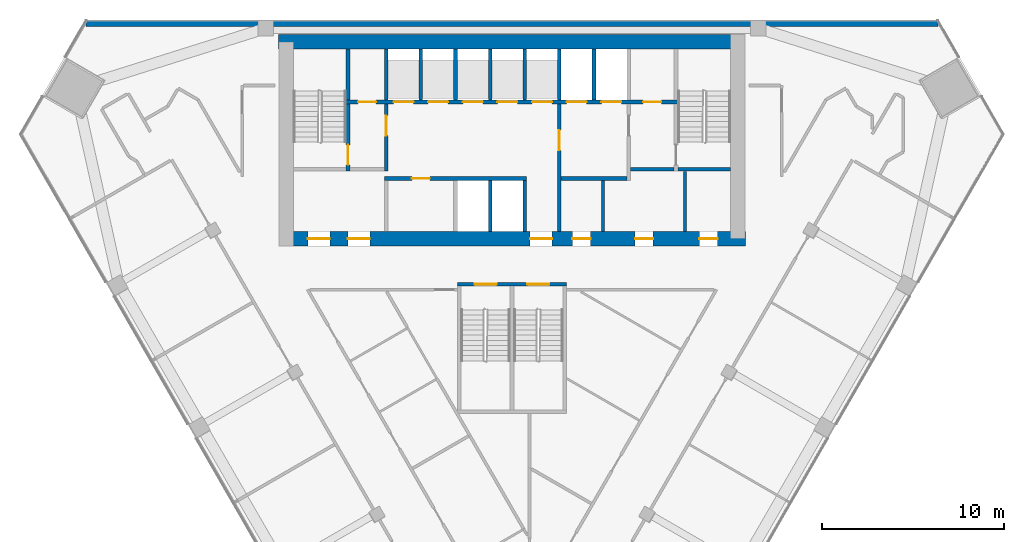
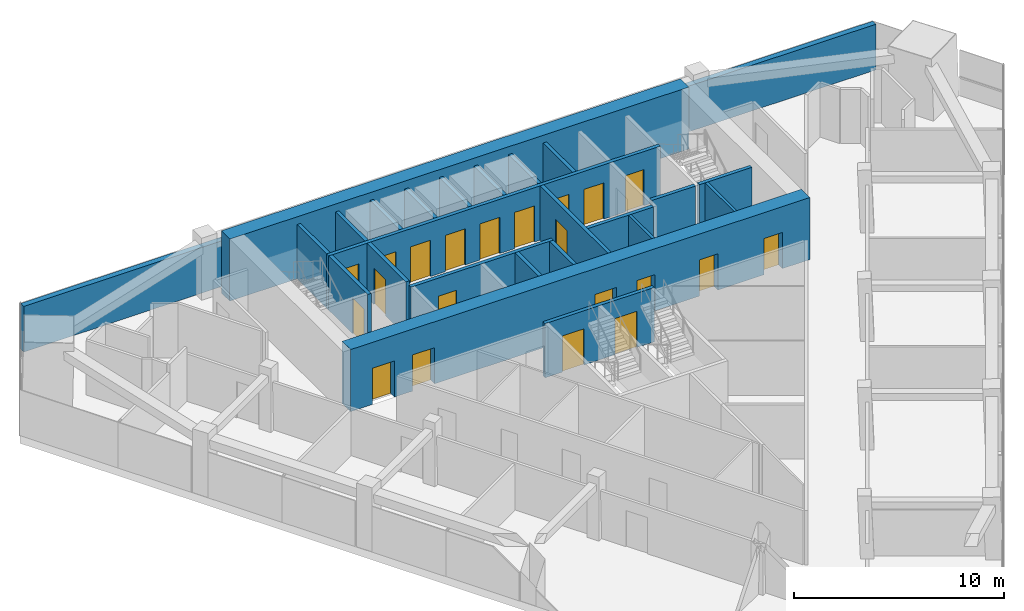
# One storey, part 10 of 13: 24 walls, 21 doors, 21 openings.
"""IFC4 building model written with IfcOpenShell, lengths in metres."""

from ifc_helpers import new_model, si_unit, direction, frame, frame_2d, origin, place, context, subcontext, project, spatial, rectangle, extrude, material, layer, layer_set, type_object, element, fill, save


model = new_model("IFC4")

# Units and contexts
model_context = context("Model", 3, precision=1e-05, world=origin(), true_north=direction((0.0, 1.0)))
body_context = subcontext(model_context, "Body", "Model", "MODEL_VIEW")
ifc_project = project(units=[si_unit("LENGTHUNIT", "METRE"), si_unit("AREAUNIT", "SQUARE_METRE"), si_unit("VOLUMEUNIT", "CUBIC_METRE"), si_unit("PLANEANGLEUNIT", "RADIAN"), si_unit("MASSUNIT", "GRAM", prefix="KILO")], contexts=[model_context])

# Site, building, storey
site_placement = place(None, origin())
site = spatial("IfcSite", under=ifc_project, at=site_placement, CompositionType="ELEMENT")
building_placement = place(site_placement, origin())
building = spatial("IfcBuilding", under=site, at=building_placement, Name="Altiplano Prism Tower", CompositionType="ELEMENT")
storey_placement = place(building_placement, frame((0.0, 0.0, 156.60009765625)))
storey = spatial("IfcBuildingStorey", under=building, at=storey_placement, Name="L40", CompositionType="ELEMENT", Elevation=156.60009765625)

# Wall, openings, doors
ifc_material_1 = material(Name="Concrete C60/75", Category="concrete")
ifc_layer_1 = layer(ifc_material_1, 0.800048828125)
ifc_layer_set_1 = layer_set([ifc_layer_1], Name="Concrete C60/75")
wall_type_1 = type_object("IfcWallType", Name="Core wall 800", PredefinedType="SHEAR", material=ifc_layer_set_1)
wall_1_placement = place(storey_placement, frame((72.60009765625, 93.0, 0.0), z_axis=(0.0, 0.0, 1.0), x_axis=(1.0, 0.0, 0.0)))
wall_1 = element("IfcWall", 1, at=wall_1_placement, inside=storey, type_object=wall_type_1, Name="Core wall S L40", PredefinedType="SHEAR", context=body_context, shape_type="SweptSolid", body=[
    extrude(rectangle(XDim=25.199951171875, YDim=0.800048828125, at=frame_2d((12.60009765625, 0.0))), origin(), (0.0, 0.0, 1.0), 3.599853515625),
])
opening_1_placement = place(wall_1_placement, frame((1.199951171875, 0.0, 0.0)))
opening_1 = element("IfcOpeningElement", 2, at=opening_1_placement, cuts=wall_1, Name="Opening D3131", PredefinedType="OPENING", context=body_context, shape_type="SweptSolid", body=[
    extrude(rectangle(XDim=1.199951171875, YDim=2.10009765625, at=frame_2d((0.60009765625, 1.050048828125))), frame((0.0, 0.41064453125, 0.0), z_axis=(0.0, -1.0, 0.0), x_axis=(1.0, 0.0, 0.0)), (0.0, 0.0, 1.0), 0.821044921875),
])
opening_2_placement = place(wall_1_placement, frame((3.39990234375, 0.0, 0.0)))
opening_2 = element("IfcOpeningElement", 3, at=opening_2_placement, cuts=wall_1, Name="Opening D3132", PredefinedType="OPENING", context=body_context, shape_type="SweptSolid", body=[
    extrude(rectangle(XDim=1.199951171875, YDim=2.10009765625, at=frame_2d((0.60009765625, 1.050048828125))), frame((0.0, 0.41064453125, 0.0), z_axis=(0.0, -1.0, 0.0), x_axis=(1.0, 0.0, 0.0)), (0.0, 0.0, 1.0), 0.821044921875),
])
opening_3_placement = place(wall_1_placement, frame((13.39990234375, 0.0, 0.0)))
opening_3 = element("IfcOpeningElement", 4, at=opening_3_placement, cuts=wall_1, Name="Opening D3133", PredefinedType="OPENING", context=body_context, shape_type="SweptSolid", body=[
    extrude(rectangle(XDim=1.199951171875, YDim=2.10009765625, at=frame_2d((0.60009765625, 1.050048828125))), frame((0.0, 0.41064453125, 0.0), z_axis=(0.0, -1.0, 0.0), x_axis=(1.0, 0.0, 0.0)), (0.0, 0.0, 1.0), 0.821044921875),
])
opening_4_placement = place(wall_1_placement, frame((15.71240234375, 0.0, 0.0)))
opening_4 = element("IfcOpeningElement", 5, at=opening_4_placement, cuts=wall_1, Name="Opening D3136", PredefinedType="OPENING", context=body_context, shape_type="SweptSolid", body=[
    extrude(rectangle(XDim=1.0, YDim=2.10009765625, at=frame_2d((0.5, 1.050048828125))), frame((0.0, 0.41064453125, 0.0), z_axis=(0.0, -1.0, 0.0), x_axis=(1.0, 0.0, 0.0)), (0.0, 0.0, 1.0), 0.821044921875),
])
opening_5_placement = place(wall_1_placement, frame((19.14990234375, 0.0, 0.0)))
opening_5 = element("IfcOpeningElement", 6, at=opening_5_placement, cuts=wall_1, Name="Opening D3137", PredefinedType="OPENING", context=body_context, shape_type="SweptSolid", body=[
    extrude(rectangle(XDim=1.0, YDim=2.10009765625, at=frame_2d((0.5, 1.050048828125))), frame((0.0, 0.41064453125, 0.0), z_axis=(0.0, -1.0, 0.0), x_axis=(1.0, 0.0, 0.0)), (0.0, 0.0, 1.0), 0.821044921875),
])
opening_6_placement = place(wall_1_placement, frame((22.6875, 0.0, 0.0)))
opening_6 = element("IfcOpeningElement", 7, at=opening_6_placement, cuts=wall_1, Name="Opening D3138", PredefinedType="OPENING", context=body_context, shape_type="SweptSolid", body=[
    extrude(rectangle(XDim=1.0, YDim=2.10009765625, at=frame_2d((0.5, 1.050048828125))), frame((0.0, 0.41064453125, 0.0), z_axis=(0.0, -1.0, 0.0), x_axis=(1.0, 0.0, 0.0)), (0.0, 0.0, 1.0), 0.821044921875),
])
ifc_material_2 = material(Name="Fire-rated steel door", Category="steel")
door_type_1 = type_object("IfcDoorType", Name="Core room door 1000 x 2100", OperationType="NOTDEFINED", PredefinedType="NOTDEFINED", material=ifc_material_2)
door_1_placement = place(opening_4_placement, origin())
door_1 = element("IfcDoor", 8, at=door_1_placement, inside=storey, type_object=door_type_1, Name="Core room door D3136", OperationType="SINGLE_SWING_RIGHT", OverallHeight=2.10009765625, OverallWidth=1.0, PredefinedType="NOTDEFINED", context=body_context, shape_type="SweptSolid", body=[
    extrude(rectangle(XDim=1.0, YDim=2.10009765625, at=frame_2d((0.5, 1.050048828125))), frame((0.0, 0.02490234375, 0.0), z_axis=(0.0, -1.0, 0.0), x_axis=(1.0, 0.0, 0.0)), (0.0, 0.0, 1.0), 0.050048828125),
])
fill(opening_4, door_1)
door_2_placement = place(opening_5_placement, origin())
door_2 = element("IfcDoor", 9, at=door_2_placement, inside=storey, type_object=door_type_1, Name="Core room door D3137", OperationType="SINGLE_SWING_LEFT", OverallHeight=2.10009765625, OverallWidth=1.0, PredefinedType="NOTDEFINED", context=body_context, shape_type="SweptSolid", body=[
    extrude(rectangle(XDim=1.0, YDim=2.10009765625, at=frame_2d((0.5, 1.050048828125))), frame((0.0, 0.02490234375, 0.0), z_axis=(0.0, -1.0, 0.0), x_axis=(1.0, 0.0, 0.0)), (0.0, 0.0, 1.0), 0.050048828125),
])
fill(opening_5, door_2)
door_3_placement = place(opening_6_placement, origin())
door_3 = element("IfcDoor", 10, at=door_3_placement, inside=storey, type_object=door_type_1, Name="Core room door D3138", OperationType="SINGLE_SWING_RIGHT", OverallHeight=2.10009765625, OverallWidth=1.0, PredefinedType="NOTDEFINED", context=body_context, shape_type="SweptSolid", body=[
    extrude(rectangle(XDim=1.0, YDim=2.10009765625, at=frame_2d((0.5, 1.050048828125))), frame((0.0, 0.02490234375, 0.0), z_axis=(0.0, -1.0, 0.0), x_axis=(1.0, 0.0, 0.0)), (0.0, 0.0, 1.0), 0.050048828125),
])
fill(opening_6, door_3)
door_type_2 = type_object("IfcDoorType", Name="Lobby fire door 1200 x 2100", OperationType="NOTDEFINED", PredefinedType="NOTDEFINED", material=ifc_material_2)
door_4_placement = place(opening_1_placement, origin())
door_4 = element("IfcDoor", 11, at=door_4_placement, inside=storey, type_object=door_type_2, Name="Lobby fire door D3131", OperationType="SINGLE_SWING_RIGHT", OverallHeight=2.10009765625, OverallWidth=1.199951171875, PredefinedType="NOTDEFINED", context=body_context, shape_type="SweptSolid", body=[
    extrude(rectangle(XDim=1.199951171875, YDim=2.10009765625, at=frame_2d((0.60009765625, 1.050048828125))), frame((0.0, 0.02490234375, 0.0), z_axis=(0.0, -1.0, 0.0), x_axis=(1.0, 0.0, 0.0)), (0.0, 0.0, 1.0), 0.050048828125),
])
fill(opening_1, door_4)
door_5_placement = place(opening_2_placement, origin())
door_5 = element("IfcDoor", 12, at=door_5_placement, inside=storey, type_object=door_type_2, Name="Lobby fire door D3132", OperationType="SINGLE_SWING_LEFT", OverallHeight=2.10009765625, OverallWidth=1.199951171875, PredefinedType="NOTDEFINED", context=body_context, shape_type="SweptSolid", body=[
    extrude(rectangle(XDim=1.199951171875, YDim=2.10009765625, at=frame_2d((0.60009765625, 1.050048828125))), frame((0.0, 0.02490234375, 0.0), z_axis=(0.0, -1.0, 0.0), x_axis=(1.0, 0.0, 0.0)), (0.0, 0.0, 1.0), 0.050048828125),
])
fill(opening_2, door_5)
door_6_placement = place(opening_3_placement, origin())
door_6 = element("IfcDoor", 13, at=door_6_placement, inside=storey, type_object=door_type_2, Name="Lobby fire door D3133", OperationType="SINGLE_SWING_RIGHT", OverallHeight=2.10009765625, OverallWidth=1.199951171875, PredefinedType="NOTDEFINED", context=body_context, shape_type="SweptSolid", body=[
    extrude(rectangle(XDim=1.199951171875, YDim=2.10009765625, at=frame_2d((0.60009765625, 1.050048828125))), frame((0.0, 0.02490234375, 0.0), z_axis=(0.0, -1.0, 0.0), x_axis=(1.0, 0.0, 0.0)), (0.0, 0.0, 1.0), 0.050048828125),
])
fill(opening_3, door_6)

# Walls
wall_2_placement = place(storey_placement, frame((97.39990234375, 103.800048828125, 0.0), z_axis=(0.0, 0.0, 1.0), x_axis=(-1.0, 0.0, 0.0)))
element("IfcWall", 14, at=wall_2_placement, inside=storey, type_object=wall_type_1, Name="Core wall N L40", PredefinedType="SHEAR", context=body_context, shape_type="SweptSolid", body=[
    extrude(rectangle(XDim=25.199951171875, YDim=0.800048828125, at=frame_2d((12.60009765625, 0.0))), origin(), (0.0, 0.0, 1.0), 3.599853515625),
])
ifc_material_3 = material(Name="Fire-rated gypsum board partition")
ifc_layer_2 = layer(ifc_material_3, 0.14990234375)
ifc_layer_set_2 = layer_set([ifc_layer_2], Name="Fire-rated gypsum board partition")
wall_type_2 = type_object("IfcWallType", Name="Room partition 150", PredefinedType="PARTITIONING", material=ifc_layer_set_2)
wall_3_placement = place(storey_placement, frame((90.0, 93.39990234375, 0.0), z_axis=(0.0, 0.0, 1.0), x_axis=(0.0, 1.0, 0.0)))
element("IfcWall", 15, at=wall_3_placement, inside=storey, type_object=wall_type_2, Name="Room partition L40", PredefinedType="PARTITIONING", context=body_context, shape_type="SweptSolid", body=[
    extrude(rectangle(XDim=2.800048828125, YDim=0.14990234375, at=frame_2d((1.39990234375, 0.0))), origin(), (0.0, 0.0, 1.0), 3.14990234375),
])
wall_4_placement = place(storey_placement, frame((94.5, 93.39990234375, 0.0), z_axis=(0.0, 0.0, 1.0), x_axis=(0.0, 1.0, 0.0)))
element("IfcWall", 16, at=wall_4_placement, inside=storey, type_object=wall_type_2, Name="Room partition L40", PredefinedType="PARTITIONING", context=body_context, shape_type="SweptSolid", body=[
    extrude(rectangle(XDim=3.300048828125, YDim=0.14990234375, at=frame_2d((1.64990234375, 0.0))), origin(), (0.0, 0.0, 1.0), 3.14990234375),
])
ifc_layer_3 = layer(ifc_material_1, 0.199951171875)
ifc_layer_set_3 = layer_set([ifc_layer_3], Name="Concrete C60/75")
wall_type_3 = type_object("IfcWallType", Name="Shaft wall 200", PredefinedType="SOLIDWALL", material=ifc_layer_set_3)
for number, where, z_axis, x_axis, name in (
    (17, (83.800048828125, 93.39990234375, 0.0), (0.0, 0.0, 1.0), (0.0, 1.0, 0.0), "Shaft wall L40"),
    (18, (85.699951171875, 93.39990234375, 0.0), (0.0, 0.0, 1.0), (0.0, 1.0, 0.0), "Shaft wall L40"),
):
    element("IfcWall", number, at=place(storey_placement, frame(where, z_axis=z_axis, x_axis=x_axis)), inside=storey, type_object=wall_type_3, Name=name, PredefinedType="SOLIDWALL", context=body_context, shape_type="SweptSolid", body=[
        extrude(rectangle(XDim=2.800048828125, YDim=0.199951171875, at=frame_2d((1.39990234375, 0.0))), origin(), (0.0, 0.0, 1.0), 3.14990234375),
    ])

# Wall, opening, door
wall_5_placement = place(storey_placement, frame((78.0, 96.300048828125, 0.0), z_axis=(0.0, 0.0, 1.0), x_axis=(1.0, 0.0, 0.0)))
wall_5 = element("IfcWall", 19, at=wall_5_placement, inside=storey, type_object=wall_type_3, Name="Shaft wall L40", PredefinedType="SOLIDWALL", context=body_context, shape_type="SweptSolid", body=[
    extrude(rectangle(XDim=7.800048828125, YDim=0.199951171875, at=frame_2d((3.89990234375, 0.0))), origin(), (0.0, 0.0, 1.0), 3.14990234375),
])
opening_7_placement = place(wall_5_placement, frame((1.5, 0.0, 0.0)))
opening_7 = element("IfcOpeningElement", 20, at=opening_7_placement, cuts=wall_5, Name="Opening D3139", PredefinedType="OPENING", context=body_context, shape_type="SweptSolid", body=[
    extrude(rectangle(XDim=1.0, YDim=2.10009765625, at=frame_2d((0.5, 1.050048828125))), frame((0.0, 0.1103515625, 0.0), z_axis=(0.0, -1.0, 0.0), x_axis=(1.0, 0.0, 0.0)), (0.0, 0.0, 1.0), 0.220947265625),
])
door_7_placement = place(opening_7_placement, origin())
door_7 = element("IfcDoor", 21, at=door_7_placement, inside=storey, type_object=door_type_1, Name="Core room door D3139", OperationType="SINGLE_SWING_RIGHT", OverallHeight=2.10009765625, OverallWidth=1.0, PredefinedType="NOTDEFINED", context=body_context, shape_type="SweptSolid", body=[
    extrude(rectangle(XDim=1.0, YDim=2.10009765625, at=frame_2d((0.5, 1.050048828125))), frame((0.0, 0.02490234375, 0.0), z_axis=(0.0, -1.0, 0.0), x_axis=(1.0, 0.0, 0.0)), (0.0, 0.0, 1.0), 0.050048828125),
])
fill(opening_7, door_7)

# Walls
for number, where, z_axis, x_axis, name in (
    (22, (78.10009765625, 100.60009765625, 0.0), (0.0, 0.0, 1.0), (0.0, 1.0, 0.0), "Shaft wall L40"),
    (23, (80.0, 100.60009765625, 0.0), (0.0, 0.0, 1.0), (0.0, 1.0, 0.0), "Shaft wall L40"),
    (24, (81.89990234375, 100.60009765625, 0.0), (0.0, 0.0, 1.0), (0.0, 1.0, 0.0), "Shaft wall L40"),
    (25, (83.800048828125, 100.60009765625, 0.0), (0.0, 0.0, 1.0), (0.0, 1.0, 0.0), "Shaft wall L40"),
    (26, (85.699951171875, 100.60009765625, 0.0), (0.0, 0.0, 1.0), (0.0, 1.0, 0.0), "Shaft wall L40"),
    (27, (87.60009765625, 100.60009765625, 0.0), (0.0, 0.0, 1.0), (0.0, 1.0, 0.0), "Shaft wall L40"),
    (28, (89.5, 100.60009765625, 0.0), (0.0, 0.0, 1.0), (0.0, 1.0, 0.0), "Shaft wall L40"),
):
    element("IfcWall", number, at=place(storey_placement, frame(where, z_axis=z_axis, x_axis=x_axis)), inside=storey, type_object=wall_type_3, Name=name, PredefinedType="SOLIDWALL", context=body_context, shape_type="SweptSolid", body=[
        extrude(rectangle(XDim=2.7998046875, YDim=0.199951171875, at=frame_2d((1.39990234375, 0.0))), origin(), (0.0, 0.0, 1.0), 3.14990234375),
    ])

# Wall, opening, door
ifc_layer_4 = layer(ifc_material_1, 0.199951171875)
ifc_layer_set_4 = layer_set([ifc_layer_4], Name="Concrete C60/75")
wall_type_4 = type_object("IfcWallType", Name="Stair wall 200", PredefinedType="SOLIDWALL", material=ifc_layer_set_4)
wall_6_placement = place(storey_placement, frame((76.0, 96.699951171875, 0.0), z_axis=(0.0, 0.0, 1.0), x_axis=(0.0, 1.0, 0.0)))
wall_6 = element("IfcWall", 29, at=wall_6_placement, inside=storey, type_object=wall_type_4, Name="Stair wall L40", PredefinedType="SOLIDWALL", context=body_context, shape_type="SweptSolid", body=[
    extrude(rectangle(XDim=3.699951171875, YDim=0.199951171875, at=frame_2d((1.85009765625, 0.0))), origin(), (0.0, 0.0, 1.0), 3.14990234375),
])
opening_8_placement = place(wall_6_placement, frame((0.35009765625, 0.0, 0.0)))
opening_8 = element("IfcOpeningElement", 30, at=opening_8_placement, cuts=wall_6, Name="Opening D3126", PredefinedType="OPENING", context=body_context, shape_type="SweptSolid", body=[
    extrude(rectangle(XDim=1.10009765625, YDim=2.10009765625, at=frame_2d((0.550048828125, 1.050048828125))), frame((0.0, 0.1103515625, 0.0), z_axis=(0.0, -1.0, 0.0), x_axis=(1.0, 0.0, 0.0)), (0.0, 0.0, 1.0), 0.220947265625),
])
door_type_3 = type_object("IfcDoorType", Name="Stair fire door 1100 x 2100", OperationType="NOTDEFINED", PredefinedType="NOTDEFINED", material=ifc_material_2)
door_8_placement = place(opening_8_placement, origin())
door_8 = element("IfcDoor", 31, at=door_8_placement, inside=storey, type_object=door_type_3, Name="Stair fire door D3126", OperationType="SINGLE_SWING_RIGHT", OverallHeight=2.10009765625, OverallWidth=1.10009765625, PredefinedType="NOTDEFINED", context=body_context, shape_type="SweptSolid", body=[
    extrude(rectangle(XDim=1.10009765625, YDim=2.10009765625, at=frame_2d((0.550048828125, 1.050048828125))), frame((0.0, 0.02490234375, 0.0), z_axis=(0.0, -1.0, 0.0), x_axis=(1.0, 0.0, 0.0)), (0.0, 0.0, 1.0), 0.050048828125),
])
fill(opening_8, door_8)

# Wall
wall_7_placement = place(storey_placement, frame((94.10009765625, 96.800048828125, 0.0), z_axis=(0.0, 0.0, 1.0), x_axis=(1.0, 0.0, 0.0)))
element("IfcWall", 32, at=wall_7_placement, inside=storey, type_object=wall_type_4, Name="Stair wall L40", PredefinedType="SOLIDWALL", context=body_context, shape_type="SweptSolid", body=[
    extrude(rectangle(XDim=2.89990234375, YDim=0.199951171875, at=frame_2d((1.449951171875, 0.0))), origin(), (0.0, 0.0, 1.0), 3.14990234375),
])

# Wall, openings, doors
wall_8_placement = place(storey_placement, frame((75.89990234375, 100.5, 0.0), z_axis=(0.0, 0.0, 1.0), x_axis=(1.0, 0.0, 0.0)))
wall_8 = element("IfcWall", 33, at=wall_8_placement, inside=storey, type_object=wall_type_4, Name="Stair wall L40", PredefinedType="SOLIDWALL", context=body_context, shape_type="SweptSolid", body=[
    extrude(rectangle(XDim=18.2001953125, YDim=0.199951171875, at=frame_2d((9.10009765625, 0.0))), origin(), (0.0, 0.0, 1.0), 3.14990234375),
])
opening_9_placement = place(wall_8_placement, frame((2.60009765625, 0.0, 0.0)))
opening_9 = element("IfcOpeningElement", 34, at=opening_9_placement, cuts=wall_8, Name="Opening LD-ML1-L40", PredefinedType="OPENING", context=body_context, shape_type="SweptSolid", body=[
    extrude(rectangle(XDim=1.10009765625, YDim=2.10009765625, at=frame_2d((0.550048828125, 1.050048828125))), frame((0.0, 0.1103515625, 0.0), z_axis=(0.0, -1.0, 0.0), x_axis=(1.0, 0.0, 0.0)), (0.0, 0.0, 1.0), 0.220947265625),
])
opening_10_placement = place(wall_8_placement, frame((4.5, 0.0, 0.0)))
opening_10 = element("IfcOpeningElement", 35, at=opening_10_placement, cuts=wall_8, Name="Opening LD-ML2-L40", PredefinedType="OPENING", context=body_context, shape_type="SweptSolid", body=[
    extrude(rectangle(XDim=1.10009765625, YDim=2.10009765625, at=frame_2d((0.550048828125, 1.050048828125))), frame((0.0, 0.1103515625, 0.0), z_axis=(0.0, -1.0, 0.0), x_axis=(1.0, 0.0, 0.0)), (0.0, 0.0, 1.0), 0.220947265625),
])
opening_11_placement = place(wall_8_placement, frame((6.39990234375, 0.0, 0.0)))
opening_11 = element("IfcOpeningElement", 36, at=opening_11_placement, cuts=wall_8, Name="Opening LD-ML3-L40", PredefinedType="OPENING", context=body_context, shape_type="SweptSolid", body=[
    extrude(rectangle(XDim=1.10009765625, YDim=2.10009765625, at=frame_2d((0.550048828125, 1.050048828125))), frame((0.0, 0.1103515625, 0.0), z_axis=(0.0, -1.0, 0.0), x_axis=(1.0, 0.0, 0.0)), (0.0, 0.0, 1.0), 0.220947265625),
])
opening_12_placement = place(wall_8_placement, frame((8.300048828125, 0.0, 0.0)))
opening_12 = element("IfcOpeningElement", 37, at=opening_12_placement, cuts=wall_8, Name="Opening LD-ML4-L40", PredefinedType="OPENING", context=body_context, shape_type="SweptSolid", body=[
    extrude(rectangle(XDim=1.10009765625, YDim=2.10009765625, at=frame_2d((0.550048828125, 1.050048828125))), frame((0.0, 0.1103515625, 0.0), z_axis=(0.0, -1.0, 0.0), x_axis=(1.0, 0.0, 0.0)), (0.0, 0.0, 1.0), 0.220947265625),
])
opening_13_placement = place(wall_8_placement, frame((10.199951171875, 0.0, 0.0)))
opening_13 = element("IfcOpeningElement", 38, at=opening_13_placement, cuts=wall_8, Name="Opening LD-ML5-L40", PredefinedType="OPENING", context=body_context, shape_type="SweptSolid", body=[
    extrude(rectangle(XDim=1.10009765625, YDim=2.10009765625, at=frame_2d((0.550048828125, 1.050048828125))), frame((0.0, 0.1103515625, 0.0), z_axis=(0.0, -1.0, 0.0), x_axis=(1.0, 0.0, 0.0)), (0.0, 0.0, 1.0), 0.220947265625),
])
opening_14_placement = place(wall_8_placement, frame((12.10009765625, 0.0, 0.0)))
opening_14 = element("IfcOpeningElement", 39, at=opening_14_placement, cuts=wall_8, Name="Opening LD-FF1-L40", PredefinedType="OPENING", context=body_context, shape_type="SweptSolid", body=[
    extrude(rectangle(XDim=1.10009765625, YDim=2.10009765625, at=frame_2d((0.550048828125, 1.050048828125))), frame((0.0, 0.1103515625, 0.0), z_axis=(0.0, -1.0, 0.0), x_axis=(1.0, 0.0, 0.0)), (0.0, 0.0, 1.0), 0.220947265625),
])
opening_15_placement = place(wall_8_placement, frame((14.0, 0.0, 0.0)))
opening_15 = element("IfcOpeningElement", 40, at=opening_15_placement, cuts=wall_8, Name="Opening LD-FF2-L40", PredefinedType="OPENING", context=body_context, shape_type="SweptSolid", body=[
    extrude(rectangle(XDim=1.10009765625, YDim=2.10009765625, at=frame_2d((0.550048828125, 1.050048828125))), frame((0.0, 0.1103515625, 0.0), z_axis=(0.0, -1.0, 0.0), x_axis=(1.0, 0.0, 0.0)), (0.0, 0.0, 1.0), 0.220947265625),
])
opening_16_placement = place(wall_8_placement, frame((0.64990234375, 0.0, 0.0)))
opening_16 = element("IfcOpeningElement", 41, at=opening_16_placement, cuts=wall_8, Name="Opening D3134", PredefinedType="OPENING", context=body_context, shape_type="SweptSolid", body=[
    extrude(rectangle(XDim=1.0, YDim=2.10009765625, at=frame_2d((0.5, 1.050048828125))), frame((0.0, 0.1103515625, 0.0), z_axis=(0.0, -1.0, 0.0), x_axis=(1.0, 0.0, 0.0)), (0.0, 0.0, 1.0), 0.220947265625),
])
opening_17_placement = place(wall_8_placement, frame((16.300048828125, 0.0, 0.0)))
opening_17 = element("IfcOpeningElement", 42, at=opening_17_placement, cuts=wall_8, Name="Opening D3135", PredefinedType="OPENING", context=body_context, shape_type="SweptSolid", body=[
    extrude(rectangle(XDim=1.0, YDim=2.10009765625, at=frame_2d((0.5, 1.050048828125))), frame((0.0, 0.1103515625, 0.0), z_axis=(0.0, -1.0, 0.0), x_axis=(1.0, 0.0, 0.0)), (0.0, 0.0, 1.0), 0.220947265625),
])
door_9_placement = place(opening_16_placement, origin())
door_9 = element("IfcDoor", 43, at=door_9_placement, inside=storey, type_object=door_type_1, Name="Core room door D3134", OperationType="SINGLE_SWING_LEFT", OverallHeight=2.10009765625, OverallWidth=1.0, PredefinedType="NOTDEFINED", context=body_context, shape_type="SweptSolid", body=[
    extrude(rectangle(XDim=1.0, YDim=2.10009765625, at=frame_2d((0.5, 1.050048828125))), frame((0.0, 0.02490234375, 0.0), z_axis=(0.0, -1.0, 0.0), x_axis=(1.0, 0.0, 0.0)), (0.0, 0.0, 1.0), 0.050048828125),
])
fill(opening_16, door_9)
door_10_placement = place(opening_17_placement, origin())
door_10 = element("IfcDoor", 44, at=door_10_placement, inside=storey, type_object=door_type_1, Name="Core room door D3135", OperationType="SINGLE_SWING_RIGHT", OverallHeight=2.10009765625, OverallWidth=1.0, PredefinedType="NOTDEFINED", context=body_context, shape_type="SweptSolid", body=[
    extrude(rectangle(XDim=1.0, YDim=2.10009765625, at=frame_2d((0.5, 1.050048828125))), frame((0.0, 0.02490234375, 0.0), z_axis=(0.0, -1.0, 0.0), x_axis=(1.0, 0.0, 0.0)), (0.0, 0.0, 1.0), 0.050048828125),
])
fill(opening_17, door_10)
ifc_material_4 = material(Name="Stainless steel landing door", Category="steel")
door_type_4 = type_object("IfcDoorType", Name="Landing door 1100 x 2100", OperationType="NOTDEFINED", PredefinedType="NOTDEFINED", material=ifc_material_4)
door_11_placement = place(opening_9_placement, origin())
door_11 = element("IfcDoor", 45, at=door_11_placement, inside=storey, type_object=door_type_4, Name="Landing doors ML1", OperationType="SLIDING_TO_RIGHT", OverallHeight=2.10009765625, OverallWidth=1.10009765625, PredefinedType="NOTDEFINED", context=body_context, shape_type="SweptSolid", body=[
    extrude(rectangle(XDim=1.10009765625, YDim=2.10009765625, at=frame_2d((0.550048828125, 1.050048828125))), frame((0.0, 0.02490234375, 0.0), z_axis=(0.0, -1.0, 0.0), x_axis=(1.0, 0.0, 0.0)), (0.0, 0.0, 1.0), 0.050048828125),
])
fill(opening_9, door_11)
door_12_placement = place(opening_10_placement, origin())
door_12 = element("IfcDoor", 46, at=door_12_placement, inside=storey, type_object=door_type_4, Name="Landing doors ML2", OperationType="SLIDING_TO_LEFT", OverallHeight=2.10009765625, OverallWidth=1.10009765625, PredefinedType="NOTDEFINED", context=body_context, shape_type="SweptSolid", body=[
    extrude(rectangle(XDim=1.10009765625, YDim=2.10009765625, at=frame_2d((0.550048828125, 1.050048828125))), frame((0.0, 0.02490234375, 0.0), z_axis=(0.0, -1.0, 0.0), x_axis=(1.0, 0.0, 0.0)), (0.0, 0.0, 1.0), 0.050048828125),
])
fill(opening_10, door_12)
door_13_placement = place(opening_11_placement, origin())
door_13 = element("IfcDoor", 47, at=door_13_placement, inside=storey, type_object=door_type_4, Name="Landing doors ML3", OperationType="SLIDING_TO_RIGHT", OverallHeight=2.10009765625, OverallWidth=1.10009765625, PredefinedType="NOTDEFINED", context=body_context, shape_type="SweptSolid", body=[
    extrude(rectangle(XDim=1.10009765625, YDim=2.10009765625, at=frame_2d((0.550048828125, 1.050048828125))), frame((0.0, 0.02490234375, 0.0), z_axis=(0.0, -1.0, 0.0), x_axis=(1.0, 0.0, 0.0)), (0.0, 0.0, 1.0), 0.050048828125),
])
fill(opening_11, door_13)
door_14_placement = place(opening_12_placement, origin())
door_14 = element("IfcDoor", 48, at=door_14_placement, inside=storey, type_object=door_type_4, Name="Landing doors ML4", OperationType="SLIDING_TO_LEFT", OverallHeight=2.10009765625, OverallWidth=1.10009765625, PredefinedType="NOTDEFINED", context=body_context, shape_type="SweptSolid", body=[
    extrude(rectangle(XDim=1.10009765625, YDim=2.10009765625, at=frame_2d((0.550048828125, 1.050048828125))), frame((0.0, 0.02490234375, 0.0), z_axis=(0.0, -1.0, 0.0), x_axis=(1.0, 0.0, 0.0)), (0.0, 0.0, 1.0), 0.050048828125),
])
fill(opening_12, door_14)
door_15_placement = place(opening_13_placement, origin())
door_15 = element("IfcDoor", 49, at=door_15_placement, inside=storey, type_object=door_type_4, Name="Landing doors ML5", OperationType="SLIDING_TO_RIGHT", OverallHeight=2.10009765625, OverallWidth=1.10009765625, PredefinedType="NOTDEFINED", context=body_context, shape_type="SweptSolid", body=[
    extrude(rectangle(XDim=1.10009765625, YDim=2.10009765625, at=frame_2d((0.550048828125, 1.050048828125))), frame((0.0, 0.02490234375, 0.0), z_axis=(0.0, -1.0, 0.0), x_axis=(1.0, 0.0, 0.0)), (0.0, 0.0, 1.0), 0.050048828125),
])
fill(opening_13, door_15)
door_16_placement = place(opening_14_placement, origin())
door_16 = element("IfcDoor", 50, at=door_16_placement, inside=storey, type_object=door_type_4, Name="Landing doors FF1", OperationType="SLIDING_TO_RIGHT", OverallHeight=2.10009765625, OverallWidth=1.10009765625, PredefinedType="NOTDEFINED", context=body_context, shape_type="SweptSolid", body=[
    extrude(rectangle(XDim=1.10009765625, YDim=2.10009765625, at=frame_2d((0.550048828125, 1.050048828125))), frame((0.0, 0.02490234375, 0.0), z_axis=(0.0, -1.0, 0.0), x_axis=(1.0, 0.0, 0.0)), (0.0, 0.0, 1.0), 0.050048828125),
])
fill(opening_14, door_16)
door_17_placement = place(opening_15_placement, origin())
door_17 = element("IfcDoor", 51, at=door_17_placement, inside=storey, type_object=door_type_4, Name="Landing doors FF2", OperationType="SLIDING_TO_LEFT", OverallHeight=2.10009765625, OverallWidth=1.10009765625, PredefinedType="NOTDEFINED", context=body_context, shape_type="SweptSolid", body=[
    extrude(rectangle(XDim=1.10009765625, YDim=2.10009765625, at=frame_2d((0.550048828125, 1.050048828125))), frame((0.0, 0.02490234375, 0.0), z_axis=(0.0, -1.0, 0.0), x_axis=(1.0, 0.0, 0.0)), (0.0, 0.0, 1.0), 0.050048828125),
])
fill(opening_15, door_17)

# Wall
wall_9_placement = place(storey_placement, frame((76.0, 100.60009765625, 0.0), z_axis=(0.0, 0.0, 1.0), x_axis=(0.0, 1.0, 0.0)))
element("IfcWall", 52, at=wall_9_placement, inside=storey, type_object=wall_type_4, Name="Stair wall L40", PredefinedType="SOLIDWALL", context=body_context, shape_type="SweptSolid", body=[
    extrude(rectangle(XDim=2.7998046875, YDim=0.199951171875, at=frame_2d((1.39990234375, 0.0))), origin(), (0.0, 0.0, 1.0), 3.14990234375),
])

# Wall, openings, doors
wall_10_placement = place(storey_placement, frame((82.0, 90.5, 0.0), z_axis=(0.0, 0.0, 1.0), x_axis=(1.0, 0.0, 0.0)))
wall_10 = element("IfcWall", 53, at=wall_10_placement, inside=storey, type_object=wall_type_4, Name="Stair 3 wall north L40", PredefinedType="SOLIDWALL", context=body_context, shape_type="SweptSolid", body=[
    extrude(rectangle(XDim=6.0, YDim=0.199951171875, at=frame_2d((3.0, 0.0))), origin(), (0.0, 0.0, 1.0), 3.14990234375),
])
opening_18_placement = place(wall_10_placement, frame((0.949951171875, 0.0, 0.0)))
opening_18 = element("IfcOpeningElement", 54, at=opening_18_placement, cuts=wall_10, Name="Opening D4002", PredefinedType="OPENING", context=body_context, shape_type="SweptSolid", body=[
    extrude(rectangle(XDim=1.199951171875, YDim=2.10009765625, at=frame_2d((0.60009765625, 1.050048828125))), frame((0.0, 0.1103515625, 0.0), z_axis=(0.0, -1.0, 0.0), x_axis=(1.0, 0.0, 0.0)), (0.0, 0.0, 1.0), 0.220947265625),
])
opening_19_placement = place(wall_10_placement, frame((3.85009765625, 0.0, 0.0)))
opening_19 = element("IfcOpeningElement", 55, at=opening_19_placement, cuts=wall_10, Name="Opening D4003", PredefinedType="OPENING", context=body_context, shape_type="SweptSolid", body=[
    extrude(rectangle(XDim=1.199951171875, YDim=2.10009765625, at=frame_2d((0.60009765625, 1.050048828125))), frame((0.0, 0.1103515625, 0.0), z_axis=(0.0, -1.0, 0.0), x_axis=(1.0, 0.0, 0.0)), (0.0, 0.0, 1.0), 0.220947265625),
])
door_type_5 = type_object("IfcDoorType", Name="Stair fire door 1200 x 2100", OperationType="NOTDEFINED", PredefinedType="NOTDEFINED", material=ifc_material_2)
door_18_placement = place(opening_18_placement, origin())
door_18 = element("IfcDoor", 56, at=door_18_placement, inside=storey, type_object=door_type_5, Name="Stair fire door D4002", OperationType="SINGLE_SWING_LEFT", OverallHeight=2.10009765625, OverallWidth=1.199951171875, PredefinedType="NOTDEFINED", context=body_context, shape_type="SweptSolid", body=[
    extrude(rectangle(XDim=1.199951171875, YDim=2.10009765625, at=frame_2d((0.60009765625, 1.050048828125))), frame((0.0, 0.02490234375, 0.0), z_axis=(0.0, -1.0, 0.0), x_axis=(1.0, 0.0, 0.0)), (0.0, 0.0, 1.0), 0.050048828125),
])
fill(opening_18, door_18)
door_19_placement = place(opening_19_placement, origin())
door_19 = element("IfcDoor", 57, at=door_19_placement, inside=storey, type_object=door_type_5, Name="Stair fire door D4003", OperationType="SINGLE_SWING_LEFT", OverallHeight=2.10009765625, OverallWidth=1.199951171875, PredefinedType="NOTDEFINED", context=body_context, shape_type="SweptSolid", body=[
    extrude(rectangle(XDim=1.199951171875, YDim=2.10009765625, at=frame_2d((0.60009765625, 1.050048828125))), frame((0.0, 0.02490234375, 0.0), z_axis=(0.0, -1.0, 0.0), x_axis=(1.0, 0.0, 0.0)), (0.0, 0.0, 1.0), 0.050048828125),
])
fill(opening_19, door_19)

# Wall
ifc_material_5 = material(Name="Concrete C40", Category="concrete")
ifc_layer_5 = layer(ifc_material_5, 0.300048828125)
ifc_layer_set_5 = layer_set([ifc_layer_5], Name="Concrete C40")
wall_type_5 = type_object("IfcWallType", Name="Stone-clad external wall 300", PredefinedType="SOLIDWALL", material=ifc_layer_set_5)
wall_11_placement = place(storey_placement, frame((61.615234375, 104.7900390625, 0.0), z_axis=(0.0, 0.0, 1.0), x_axis=(1.0, 0.0, 0.0)))
element("IfcWall", 58, at=wall_11_placement, inside=storey, type_object=wall_type_5, Name="External wall north face L40", PredefinedType="SOLIDWALL", context=body_context, shape_type="SweptSolid", body=[
    extrude(rectangle(XDim=46.76953125, YDim=0.300048828125, at=frame_2d((23.384765625, 0.0))), origin(), (0.0, 0.0, 1.0), 2.64990234375),
])

# Wall, opening, door
ifc_layer_6 = layer(ifc_material_1, 0.199951171875)
ifc_layer_set_6 = layer_set([ifc_layer_6], Name="Concrete C60/75")
wall_type_6 = type_object("IfcWallType", Name="Vestibule wall 200", PredefinedType="PARTITIONING", material=ifc_layer_set_6)
wall_12_placement = place(storey_placement, frame((87.60009765625, 93.39990234375, 0.0), z_axis=(0.0, 0.0, 1.0), x_axis=(0.0, 1.0, 0.0)))
wall_12 = element("IfcWall", 59, at=wall_12_placement, inside=storey, type_object=wall_type_6, Name="Vestibule wall L40", PredefinedType="PARTITIONING", context=body_context, shape_type="SweptSolid", body=[
    extrude(rectangle(XDim=7.0, YDim=0.199951171875, at=frame_2d((3.5, 0.0))), origin(), (0.0, 0.0, 1.0), 3.14990234375),
])
opening_20_placement = place(wall_12_placement, frame((4.449951171875, 0.0, 0.0)))
opening_20 = element("IfcOpeningElement", 60, at=opening_20_placement, cuts=wall_12, Name="Opening D3129", PredefinedType="OPENING", context=body_context, shape_type="SweptSolid", body=[
    extrude(rectangle(XDim=1.10009765625, YDim=2.10009765625, at=frame_2d((0.550048828125, 1.050048828125))), frame((0.0, 0.1103515625, 0.0), z_axis=(0.0, -1.0, 0.0), x_axis=(1.0, 0.0, 0.0)), (0.0, 0.0, 1.0), 0.220947265625),
])
door_type_6 = type_object("IfcDoorType", Name="Vestibule fire door 1100 x 2100", OperationType="NOTDEFINED", PredefinedType="NOTDEFINED", material=ifc_material_2)
door_20_placement = place(opening_20_placement, origin())
door_20 = element("IfcDoor", 61, at=door_20_placement, inside=storey, type_object=door_type_6, Name="Vestibule fire door D3129", OperationType="SINGLE_SWING_RIGHT", OverallHeight=2.10009765625, OverallWidth=1.10009765625, PredefinedType="NOTDEFINED", context=body_context, shape_type="SweptSolid", body=[
    extrude(rectangle(XDim=1.10009765625, YDim=2.10009765625, at=frame_2d((0.550048828125, 1.050048828125))), frame((0.0, 0.02490234375, 0.0), z_axis=(0.0, -1.0, 0.0), x_axis=(1.0, 0.0, 0.0)), (0.0, 0.0, 1.0), 0.050048828125),
])
fill(opening_20, door_20)

# Wall
wall_13_placement = place(storey_placement, frame((87.699951171875, 96.300048828125, 0.0), z_axis=(0.0, 0.0, 1.0), x_axis=(1.0, 0.0, 0.0)))
element("IfcWall", 62, at=wall_13_placement, inside=storey, type_object=wall_type_6, Name="Vestibule wall L40", PredefinedType="PARTITIONING", context=body_context, shape_type="SweptSolid", body=[
    extrude(rectangle(XDim=3.60009765625, YDim=0.199951171875, at=frame_2d((1.800048828125, 0.0))), origin(), (0.0, 0.0, 1.0), 3.14990234375),
])

# Wall, opening, door
wall_14_placement = place(storey_placement, frame((78.10009765625, 96.699951171875, 0.0), z_axis=(0.0, 0.0, 1.0), x_axis=(0.0, 1.0, 0.0)))
wall_14 = element("IfcWall", 63, at=wall_14_placement, inside=storey, type_object=wall_type_6, Name="Vestibule wall L40", PredefinedType="PARTITIONING", context=body_context, shape_type="SweptSolid", body=[
    extrude(rectangle(XDim=3.699951171875, YDim=0.199951171875, at=frame_2d((1.85009765625, 0.0))), origin(), (0.0, 0.0, 1.0), 3.14990234375),
])
opening_21_placement = place(wall_14_placement, frame((1.949951171875, 0.0, 0.0)))
opening_21 = element("IfcOpeningElement", 64, at=opening_21_placement, cuts=wall_14, Name="Opening D3128", PredefinedType="OPENING", context=body_context, shape_type="SweptSolid", body=[
    extrude(rectangle(XDim=1.10009765625, YDim=2.10009765625, at=frame_2d((0.550048828125, 1.050048828125))), frame((0.0, 0.1103515625, 0.0), z_axis=(0.0, -1.0, 0.0), x_axis=(1.0, 0.0, 0.0)), (0.0, 0.0, 1.0), 0.220947265625),
])
door_21_placement = place(opening_21_placement, origin())
door_21 = element("IfcDoor", 65, at=door_21_placement, inside=storey, type_object=door_type_6, Name="Vestibule fire door D3128", OperationType="SINGLE_SWING_LEFT", OverallHeight=2.10009765625, OverallWidth=1.10009765625, PredefinedType="NOTDEFINED", context=body_context, shape_type="SweptSolid", body=[
    extrude(rectangle(XDim=1.10009765625, YDim=2.10009765625, at=frame_2d((0.550048828125, 1.050048828125))), frame((0.0, 0.02490234375, 0.0), z_axis=(0.0, -1.0, 0.0), x_axis=(1.0, 0.0, 0.0)), (0.0, 0.0, 1.0), 0.050048828125),
])
fill(opening_21, door_21)

# Wall
wall_15_placement = place(storey_placement, frame((91.5, 96.800048828125, 0.0), z_axis=(0.0, 0.0, 1.0), x_axis=(1.0, 0.0, 0.0)))
element("IfcWall", 66, at=wall_15_placement, inside=storey, type_object=wall_type_6, Name="Vestibule wall L40", PredefinedType="PARTITIONING", context=body_context, shape_type="SweptSolid", body=[
    extrude(rectangle(XDim=2.39990234375, YDim=0.199951171875, at=frame_2d((1.199951171875, 0.0))), origin(), (0.0, 0.0, 1.0), 3.14990234375),
])

save(model, "model.ifc")
